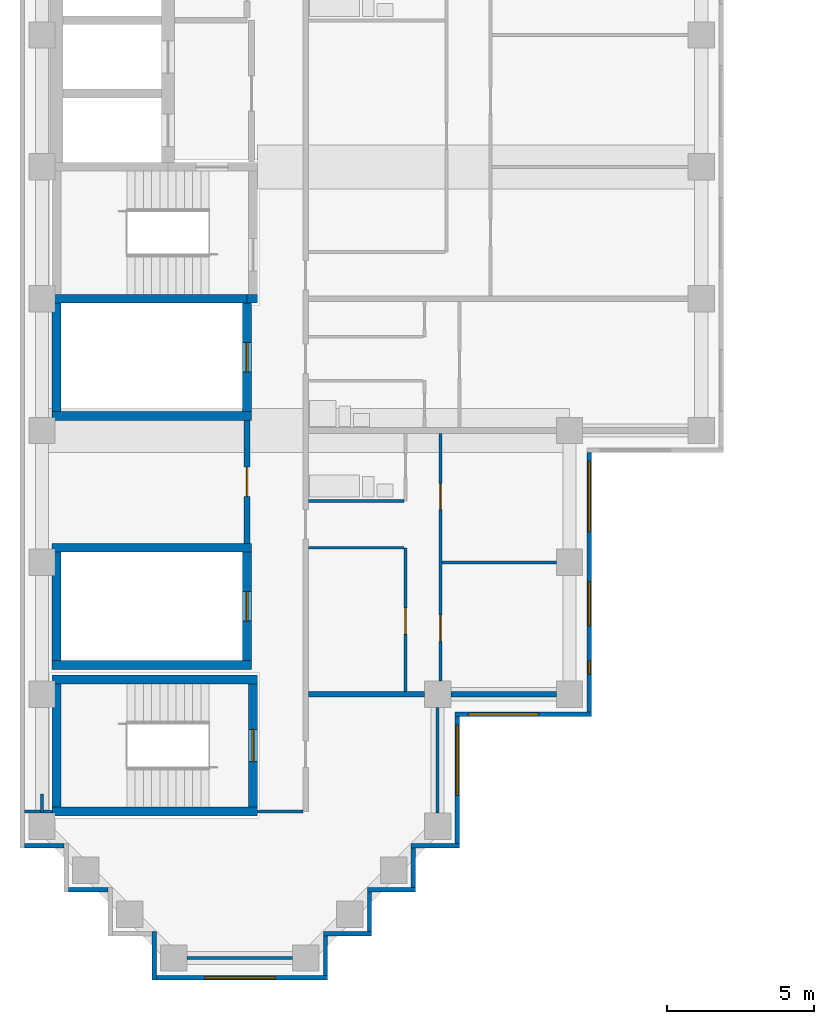
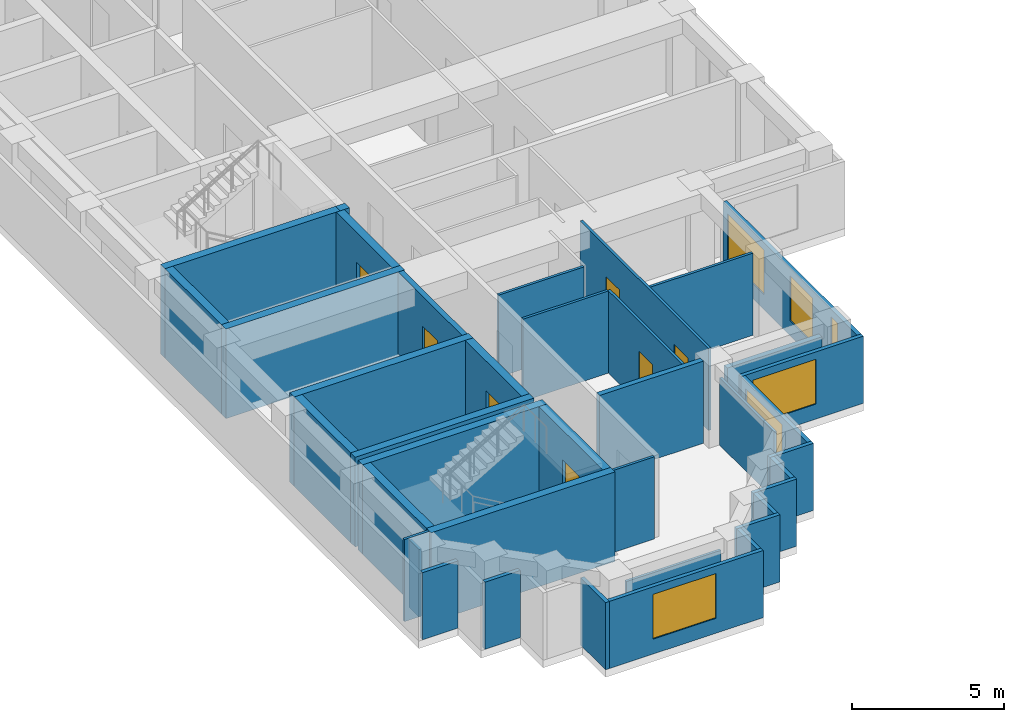
# One storey, part 2 of 11: 39 walls, 7 doors, 6 windows, 13 openings.
"""IFC4 building model written with IfcOpenShell, lengths in metres."""

from ifc_helpers import new_model, si_unit, direction, frame, frame_2d, origin, place, context, subcontext, project, spatial, rectangle, extrude, material, layer, layer_set, type_object, element, fill, save


model = new_model("IFC4")

# Units and contexts
model_context = context("Model", 3, precision=1e-05, world=origin(), true_north=direction((0.0, 1.0)))
body_context = subcontext(model_context, "Body", "Model", "MODEL_VIEW")
ifc_project = project(units=[si_unit("LENGTHUNIT", "METRE"), si_unit("AREAUNIT", "SQUARE_METRE"), si_unit("VOLUMEUNIT", "CUBIC_METRE"), si_unit("PLANEANGLEUNIT", "RADIAN"), si_unit("MASSUNIT", "GRAM", prefix="KILO")], contexts=[model_context])

# Site, building, storey
site_placement = place(None, origin())
site = spatial("IfcSite", under=ifc_project, at=site_placement, CompositionType="ELEMENT")
building_placement = place(site_placement, origin())
building = spatial("IfcBuilding", under=site, at=building_placement, Name="Firuza Court", CompositionType="ELEMENT")
storey_placement = place(building_placement, frame((0.0, 0.0, 179.0)))
storey = spatial("IfcBuildingStorey", under=building, at=storey_placement, Name="L45", CompositionType="ELEMENT", Elevation=179.0)

# Walls
ifc_material_1 = material(Name="Moisture-resistant gypsum board partition")
ifc_layer_1 = layer(ifc_material_1, 0.10009765625)
ifc_layer_set_1 = layer_set([ifc_layer_1], Name="Moisture-resistant gypsum board partition")
wall_type_1 = type_object("IfcWallType", Name="Bathroom partition 100", PredefinedType="PLUMBINGWALL", material=ifc_layer_set_1)
wall_1_placement = place(storey_placement, frame((9.10009765625, 15.60009765625, 0.0), z_axis=(0.0, 0.0, 1.0), x_axis=(1.0, 0.0, 0.0)))
element("IfcWall", 1, at=wall_1_placement, inside=storey, type_object=wall_type_1, Name="Bathroom partition 100 L45", PredefinedType="PLUMBINGWALL", context=body_context, shape_type="SweptSolid", body=[
    extrude(rectangle(XDim=3.25, YDim=0.10009765625, at=frame_2d((1.625, 0.0))), origin(), (0.0, 0.0, 1.0), 3.300048828125),
])
ifc_material_2 = material(Name="Concrete C50/60", Category="concrete")
ifc_layer_2 = layer(ifc_material_2, 0.300048828125)
ifc_layer_set_2 = layer_set([ifc_layer_2], Name="Concrete C50/60")
wall_type_2 = type_object("IfcWallType", Name="Core wall 300 C50/60", PredefinedType="SHEAR", material=ifc_layer_set_2)
for number, where, z_axis, x_axis, name in (
    (2, (0.35009765625, 5.0, -0.300048828125), (0.0, 0.0, 1.0), (1.0, 0.0, 0.0), "Core wall stair L45"),
    (3, (0.35009765625, 9.5, -0.300048828125), (0.0, 0.0, 1.0), (1.0, 0.0, 0.0), "Core wall stair L45"),
):
    element("IfcWall", number, at=place(storey_placement, frame(where, z_axis=z_axis, x_axis=x_axis)), inside=storey, type_object=wall_type_2, Name=name, PredefinedType="SHEAR", context=body_context, shape_type="SweptSolid", body=[
        extrude(rectangle(XDim=7.0, YDim=0.300048828125, at=frame_2d((3.5, 0.0))), origin(), (0.0, 0.0, 1.0), 3.60009765625),
    ])
for number, where, z_axis, x_axis, name in (
    (4, (0.35009765625, 10.0, -0.300048828125), (0.0, 0.0, 1.0), (1.0, 0.0, 0.0), "Core wall riser L45"),
    (5, (0.35009765625, 14.0, -0.300048828125), (0.0, 0.0, 1.0), (1.0, 0.0, 0.0), "Core wall riser L45"),
    (6, (0.35009765625, 18.5, -0.300048828125), (0.0, 0.0, 1.0), (1.0, 0.0, 0.0), "Core wall riser L45"),
):
    element("IfcWall", number, at=place(storey_placement, frame(where, z_axis=z_axis, x_axis=x_axis)), inside=storey, type_object=wall_type_2, Name=name, PredefinedType="SHEAR", context=body_context, shape_type="SweptSolid", body=[
        extrude(rectangle(XDim=6.7998046875, YDim=0.300048828125, at=frame_2d((3.39990234375, 0.0))), origin(), (0.0, 0.0, 1.0), 3.60009765625),
    ])
wall_2_placement = place(storey_placement, frame((0.35009765625, 22.5, -0.300048828125), z_axis=(0.0, 0.0, 1.0), x_axis=(1.0, 0.0, 0.0)))
element("IfcWall", 7, at=wall_2_placement, inside=storey, type_object=wall_type_2, Name="Core wall riser L45", PredefinedType="SHEAR", context=body_context, shape_type="SweptSolid", body=[
    extrude(rectangle(XDim=6.64990234375, YDim=0.300048828125, at=frame_2d((3.324951171875, 0.0))), origin(), (0.0, 0.0, 1.0), 3.60009765625),
])
wall_3_placement = place(storey_placement, frame((0.5, 5.14990234375, -0.300048828125), z_axis=(0.0, 0.0, 1.0), x_axis=(0.0, 1.0, 0.0)))
element("IfcWall", 8, at=wall_3_placement, inside=storey, type_object=wall_type_2, Name="Core wall stair L45", PredefinedType="SHEAR", context=body_context, shape_type="SweptSolid", body=[
    extrude(rectangle(XDim=4.2001953125, YDim=0.300048828125, at=frame_2d((2.10009765625, 0.0))), origin(), (0.0, 0.0, 1.0), 3.60009765625),
])
for number, where, z_axis, x_axis, name in (
    (9, (0.5, 10.14990234375, -0.300048828125), (0.0, 0.0, 1.0), (0.0, 1.0, 0.0), "Core wall riser L45"),
    (10, (0.5, 18.64990234375, -0.300048828125), (0.0, 0.0, 1.0), (0.0, 1.0, 0.0), "Core wall riser L45"),
):
    element("IfcWall", number, at=place(storey_placement, frame(where, z_axis=z_axis, x_axis=x_axis)), inside=storey, type_object=wall_type_2, Name=name, PredefinedType="SHEAR", context=body_context, shape_type="SweptSolid", body=[
        extrude(rectangle(XDim=3.7001953125, YDim=0.300048828125, at=frame_2d((1.85009765625, 0.0))), origin(), (0.0, 0.0, 1.0), 3.60009765625),
    ])

# Wall, opening, door
wall_4_placement = place(storey_placement, frame((7.0, 10.14990234375, -0.300048828125), z_axis=(0.0, 0.0, 1.0), x_axis=(0.0, 1.0, 0.0)))
wall_4 = element("IfcWall", 11, at=wall_4_placement, inside=storey, type_object=wall_type_2, Name="Core wall riser L45", PredefinedType="SHEAR", context=body_context, shape_type="SweptSolid", body=[
    extrude(rectangle(XDim=3.7001953125, YDim=0.300048828125, at=frame_2d((1.85009765625, 0.0))), origin(), (0.0, 0.0, 1.0), 3.60009765625),
])
opening_1_placement = place(wall_4_placement, frame((1.35009765625, 0.0, 0.300048828125)))
opening_1 = element("IfcOpeningElement", 12, at=opening_1_placement, cuts=wall_4, Name="Opening D45011", PredefinedType="OPENING", context=body_context, shape_type="SweptSolid", body=[
    extrude(rectangle(XDim=1.0, YDim=2.10009765625, at=frame_2d((0.5, 1.050048828125))), frame((0.0, 0.162109375, 0.0), z_axis=(0.0, -1.0, 0.0), x_axis=(1.0, 0.0, 0.0)), (0.0, 0.0, 1.0), 0.323974609375),
])
ifc_material_3 = material(Name="Timber door leaf in hardwood frame", Category="wood")
door_type_1 = type_object("IfcDoorType", Name="Riser door 1000", OperationType="SINGLE_SWING_LEFT", PredefinedType="DOOR", material=ifc_material_3)
door_1_placement = place(opening_1_placement, origin())
door_1 = element("IfcDoor", 13, at=door_1_placement, inside=storey, type_object=door_type_1, Name="Riser door R4", OperationType="SINGLE_SWING_LEFT", OverallHeight=2.10009765625, OverallWidth=1.0, PredefinedType="DOOR", context=body_context, shape_type="SweptSolid", body=[
    extrude(rectangle(XDim=1.0, YDim=2.10009765625, at=frame_2d((0.5, 1.050048828125))), frame((0.0, 0.02490234375, 0.0), z_axis=(0.0, -1.0, 0.0), x_axis=(1.0, 0.0, 0.0)), (0.0, 0.0, 1.0), 0.050048828125),
])
fill(opening_1, door_1)

wall_5_placement = place(storey_placement, frame((7.0, 18.64990234375, -0.300048828125), z_axis=(0.0, 0.0, 1.0), x_axis=(0.0, 1.0, 0.0)))
wall_5 = element("IfcWall", 14, at=wall_5_placement, inside=storey, type_object=wall_type_2, Name="Core wall riser L45", PredefinedType="SHEAR", context=body_context, shape_type="SweptSolid", body=[
    extrude(rectangle(XDim=3.7001953125, YDim=0.300048828125, at=frame_2d((1.85009765625, 0.0))), origin(), (0.0, 0.0, 1.0), 3.60009765625),
])
opening_2_placement = place(wall_5_placement, frame((1.35009765625, 0.0, 0.300048828125)))
opening_2 = element("IfcOpeningElement", 15, at=opening_2_placement, cuts=wall_5, Name="Opening D45009", PredefinedType="OPENING", context=body_context, shape_type="SweptSolid", body=[
    extrude(rectangle(XDim=1.0, YDim=2.10009765625, at=frame_2d((0.5, 1.050048828125))), frame((0.0, 0.162109375, 0.0), z_axis=(0.0, -1.0, 0.0), x_axis=(1.0, 0.0, 0.0)), (0.0, 0.0, 1.0), 0.323974609375),
])
door_2_placement = place(opening_2_placement, origin())
door_2 = element("IfcDoor", 16, at=door_2_placement, inside=storey, type_object=door_type_1, Name="Riser door R1", OperationType="SINGLE_SWING_LEFT", OverallHeight=2.10009765625, OverallWidth=1.0, PredefinedType="DOOR", context=body_context, shape_type="SweptSolid", body=[
    extrude(rectangle(XDim=1.0, YDim=2.10009765625, at=frame_2d((0.5, 1.050048828125))), frame((0.0, 0.02490234375, 0.0), z_axis=(0.0, -1.0, 0.0), x_axis=(1.0, 0.0, 0.0)), (0.0, 0.0, 1.0), 0.050048828125),
])
fill(opening_2, door_2)

# Wall
wall_6_placement = place(storey_placement, frame((7.0, 22.5, -0.300048828125), z_axis=(0.0, 0.0, 1.0), x_axis=(1.0, 0.0, 0.0)))
element("IfcWall", 17, at=wall_6_placement, inside=storey, type_object=wall_type_2, Name="Core wall stair L45", PredefinedType="SHEAR", context=body_context, shape_type="SweptSolid", body=[
    extrude(rectangle(XDim=0.35009765625, YDim=0.300048828125, at=frame_2d((0.175048828125, 0.0))), origin(), (0.0, 0.0, 1.0), 3.60009765625),
])

# Wall, opening, door
wall_7_placement = place(storey_placement, frame((7.199951171875, 5.14990234375, -0.300048828125), z_axis=(0.0, 0.0, 1.0), x_axis=(0.0, 1.0, 0.0)))
wall_7 = element("IfcWall", 18, at=wall_7_placement, inside=storey, type_object=wall_type_2, Name="Core wall stair L45", PredefinedType="SHEAR", context=body_context, shape_type="SweptSolid", body=[
    extrude(rectangle(XDim=4.2001953125, YDim=0.300048828125, at=frame_2d((2.10009765625, 0.0))), origin(), (0.0, 0.0, 1.0), 3.60009765625),
])
opening_3_placement = place(wall_7_placement, frame((1.550048828125, 0.0, 0.300048828125)))
opening_3 = element("IfcOpeningElement", 19, at=opening_3_placement, cuts=wall_7, Name="Opening D45017", PredefinedType="OPENING", context=body_context, shape_type="SweptSolid", body=[
    extrude(rectangle(XDim=1.10009765625, YDim=2.10009765625, at=frame_2d((0.550048828125, 1.050048828125))), frame((0.0, 0.162109375, 0.0), z_axis=(0.0, -1.0, 0.0), x_axis=(1.0, 0.0, 0.0)), (0.0, 0.0, 1.0), 0.323974609375),
])
ifc_material_4 = material(Name="Timber door leaf in hardwood frame", Category="wood")
door_type_2 = type_object("IfcDoorType", Name="Stair door 1100", OperationType="SINGLE_SWING_LEFT", PredefinedType="DOOR", material=ifc_material_4)
door_3_placement = place(opening_3_placement, origin())
door_3 = element("IfcDoor", 20, at=door_3_placement, inside=storey, type_object=door_type_2, Name="Stair door S5", OperationType="SINGLE_SWING_LEFT", OverallHeight=2.10009765625, OverallWidth=1.10009765625, PredefinedType="DOOR", context=body_context, shape_type="SweptSolid", body=[
    extrude(rectangle(XDim=1.10009765625, YDim=2.10009765625, at=frame_2d((0.550048828125, 1.050048828125))), frame((0.0, 0.02490234375, 0.0), z_axis=(0.0, -1.0, 0.0), x_axis=(1.0, 0.0, 0.0)), (0.0, 0.0, 1.0), 0.050048828125),
])
fill(opening_3, door_3)

ifc_material_5 = material(Name="Blockwork, plastered both sides", Category="masonry")
ifc_layer_3 = layer(ifc_material_5, 0.199951171875)
ifc_layer_set_3 = layer_set([ifc_layer_3], Name="Blockwork, plastered both sides")
wall_type_3 = type_object("IfcWallType", Name="Corridor wall 200", PredefinedType="PARTITIONING", material=ifc_layer_set_3)
wall_8_placement = place(storey_placement, frame((7.0, 14.14990234375, 0.0), z_axis=(0.0, 0.0, 1.0), x_axis=(0.0, 1.0, 0.0)))
wall_8 = element("IfcWall", 21, at=wall_8_placement, inside=storey, type_object=wall_type_3, Name="Corridor wall 200 L45", PredefinedType="PARTITIONING", context=body_context, shape_type="SweptSolid", body=[
    extrude(rectangle(XDim=4.2001953125, YDim=0.199951171875, at=frame_2d((2.10009765625, 0.0))), origin(), (0.0, 0.0, 1.0), 3.300048828125),
])
opening_4_placement = place(wall_8_placement, frame((1.60009765625, 0.0, 0.0)))
opening_4 = element("IfcOpeningElement", 22, at=opening_4_placement, cuts=wall_8, Name="Opening D45025", PredefinedType="OPENING", context=body_context, shape_type="SweptSolid", body=[
    extrude(rectangle(XDim=1.0, YDim=2.10009765625, at=frame_2d((0.5, 1.050048828125))), frame((0.0, 0.11181640625, 0.0), z_axis=(0.0, -1.0, 0.0), x_axis=(1.0, 0.0, 0.0)), (0.0, 0.0, 1.0), 0.223876953125),
])
ifc_material_6 = material(Name="Timber door leaf in hardwood frame", Category="wood")
door_type_3 = type_object("IfcDoorType", Name="Store door 1000", OperationType="SINGLE_SWING_LEFT", PredefinedType="DOOR", material=ifc_material_6)
door_4_placement = place(opening_4_placement, origin())
door_4 = element("IfcDoor", 23, at=door_4_placement, inside=storey, type_object=door_type_3, Name="Comms room door", OperationType="SINGLE_SWING_LEFT", OverallHeight=2.10009765625, OverallWidth=1.0, PredefinedType="DOOR", context=body_context, shape_type="SweptSolid", body=[
    extrude(rectangle(XDim=1.0, YDim=2.10009765625, at=frame_2d((0.5, 1.050048828125))), frame((0.0, 0.02490234375, 0.0), z_axis=(0.0, -1.0, 0.0), x_axis=(1.0, 0.0, 0.0)), (0.0, 0.0, 1.0), 0.050048828125),
])
fill(opening_4, door_4)

# Walls
ifc_material_7 = material(Name="Timber stud partition, plasterboard both sides", Category="wood")
ifc_layer_4 = layer(ifc_material_7, 0.10009765625)
ifc_layer_set_4 = layer_set([ifc_layer_4], Name="Timber stud partition, plasterboard both sides")
wall_type_4 = type_object("IfcWallType", Name="Partition wall 100", PredefinedType="PARTITIONING", material=ifc_layer_set_4)
wall_9_placement = place(storey_placement, frame((4.949951171875, 0.0, 0.0), z_axis=(0.0, 0.0, 1.0), x_axis=(1.0, 0.0, 0.0)))
element("IfcWall", 24, at=wall_9_placement, inside=storey, type_object=wall_type_4, Name="Partition wall 100 L45", PredefinedType="PARTITIONING", context=body_context, shape_type="SweptSolid", body=[
    extrude(rectangle(XDim=3.60009765625, YDim=0.10009765625, at=frame_2d((1.800048828125, 0.0))), origin(), (0.0, 0.0, 1.0), 2.699951171875),
])
wall_10_placement = place(storey_placement, frame((0.0, 4.949951171875, 0.0), z_axis=(0.0, 0.0, 1.0), x_axis=(0.0, 1.0, 0.0)))
element("IfcWall", 25, at=wall_10_placement, inside=storey, type_object=wall_type_4, Name="Partition wall 100 L45", PredefinedType="PARTITIONING", context=body_context, shape_type="SweptSolid", body=[
    extrude(rectangle(XDim=0.650146484375, YDim=0.10009765625, at=frame_2d((0.3251953125, 0.0))), origin(), (0.0, 0.0, 1.0), 2.699951171875),
])
wall_11_placement = place(storey_placement, frame((13.5, 4.949951171875, 0.0), z_axis=(0.0, 0.0, 1.0), x_axis=(0.0, 1.0, 0.0)))
element("IfcWall", 26, at=wall_11_placement, inside=storey, type_object=wall_type_4, Name="Partition wall 100 L45", PredefinedType="PARTITIONING", context=body_context, shape_type="SweptSolid", body=[
    extrude(rectangle(XDim=3.60009765625, YDim=0.10009765625, at=frame_2d((1.800048828125, 0.0))), origin(), (0.0, 0.0, 1.0), 2.699951171875),
])
wall_12_placement = place(storey_placement, frame((-0.60009765625, 5.0, 0.0), z_axis=(0.0, 0.0, 1.0), x_axis=(1.0, 0.0, 0.0)))
element("IfcWall", 27, at=wall_12_placement, inside=storey, type_object=wall_type_4, Name="Partition wall 100 L45", PredefinedType="PARTITIONING", context=body_context, shape_type="SweptSolid", body=[
    extrude(rectangle(XDim=0.951171875, YDim=0.10009765625, at=frame_2d((0.4755859375, 0.0))), origin(), (0.0, 0.0, 1.0), 3.300048828125),
])
wall_13_placement = place(storey_placement, frame((7.34912109375, 5.0, 0.0), z_axis=(0.0, 0.0, 1.0), x_axis=(1.0, 0.0, 0.0)))
element("IfcWall", 28, at=wall_13_placement, inside=storey, type_object=wall_type_4, Name="Partition wall 100 L45", PredefinedType="PARTITIONING", context=body_context, shape_type="SweptSolid", body=[
    extrude(rectangle(XDim=1.55078125, YDim=0.10009765625, at=frame_2d((0.775390625, 0.0))), origin(), (0.0, 0.0, 1.0), 3.300048828125),
])

# Wall, opening, door
wall_14_placement = place(storey_placement, frame((12.39990234375, 9.10009765625, 0.0), z_axis=(0.0, 0.0, 1.0), x_axis=(0.0, 1.0, 0.0)))
wall_14 = element("IfcWall", 29, at=wall_14_placement, inside=storey, type_object=wall_type_4, Name="Partition wall 100 L45", PredefinedType="PARTITIONING", context=body_context, shape_type="SweptSolid", body=[
    extrude(rectangle(XDim=4.89990234375, YDim=0.10009765625, at=frame_2d((2.449951171875, 0.0))), origin(), (0.0, 0.0, 1.0), 3.300048828125),
])
opening_5_placement = place(wall_14_placement, frame((1.949951171875, 0.0, 0.0)))
opening_5 = element("IfcOpeningElement", 30, at=opening_5_placement, cuts=wall_14, Name="Opening D45022", PredefinedType="OPENING", context=body_context, shape_type="SweptSolid", body=[
    extrude(rectangle(XDim=0.89990234375, YDim=2.10009765625, at=frame_2d((0.449951171875, 1.050048828125))), frame((0.0, 0.06201171875, 0.0), z_axis=(0.0, -1.0, 0.0), x_axis=(1.0, 0.0, 0.0)), (0.0, 0.0, 1.0), 0.1240234375),
])
ifc_material_8 = material(Name="Timber door leaf in hardwood frame", Category="wood")
door_type_4 = type_object("IfcDoorType", Name="Room door 900", OperationType="SINGLE_SWING_LEFT", PredefinedType="DOOR", material=ifc_material_8)
door_5_placement = place(opening_5_placement, origin())
door_5 = element("IfcDoor", 31, at=door_5_placement, inside=storey, type_object=door_type_4, Name="Kitchen door", OperationType="SINGLE_SWING_LEFT", OverallHeight=2.10009765625, OverallWidth=0.89990234375, PredefinedType="DOOR", context=body_context, shape_type="SweptSolid", body=[
    extrude(rectangle(XDim=0.89990234375, YDim=2.10009765625, at=frame_2d((0.449951171875, 1.050048828125))), frame((0.0, 0.02490234375, 0.0), z_axis=(0.0, -1.0, 0.0), x_axis=(1.0, 0.0, 0.0)), (0.0, 0.0, 1.0), 0.050048828125),
])
fill(opening_5, door_5)

# Wall, openings, doors
wall_15_placement = place(storey_placement, frame((13.60009765625, 9.449951171875, 0.0), z_axis=(0.0, 0.0, 1.0), x_axis=(0.0, 1.0, 0.0)))
wall_15 = element("IfcWall", 32, at=wall_15_placement, inside=storey, type_object=wall_type_4, Name="Partition wall 100 L45", PredefinedType="PARTITIONING", context=body_context, shape_type="SweptSolid", body=[
    extrude(rectangle(XDim=8.449951171875, YDim=0.10009765625, at=frame_2d((4.22509765625, 0.0))), origin(), (0.0, 0.0, 1.0), 3.300048828125),
])
opening_6_placement = place(wall_15_placement, frame((1.35009765625, 0.0, 0.0)))
opening_6 = element("IfcOpeningElement", 33, at=opening_6_placement, cuts=wall_15, Name="Opening D45023", PredefinedType="OPENING", context=body_context, shape_type="SweptSolid", body=[
    extrude(rectangle(XDim=0.89990234375, YDim=2.10009765625, at=frame_2d((0.449951171875, 1.050048828125))), frame((0.0, 0.06201171875, 0.0), z_axis=(0.0, -1.0, 0.0), x_axis=(1.0, 0.0, 0.0)), (0.0, 0.0, 1.0), 0.1240234375),
])
opening_7_placement = place(wall_15_placement, frame((5.85009765625, 0.0, 0.0)))
opening_7 = element("IfcOpeningElement", 34, at=opening_7_placement, cuts=wall_15, Name="Opening D45024", PredefinedType="OPENING", context=body_context, shape_type="SweptSolid", body=[
    extrude(rectangle(XDim=0.89990234375, YDim=2.10009765625, at=frame_2d((0.449951171875, 1.050048828125))), frame((0.0, 0.06201171875, 0.0), z_axis=(0.0, -1.0, 0.0), x_axis=(1.0, 0.0, 0.0)), (0.0, 0.0, 1.0), 0.1240234375),
])
door_6_placement = place(opening_6_placement, frame((0.89990234375, 0.0, 0.0), z_axis=(0.0, 0.0, 1.0), x_axis=(-1.0, 0.0, 0.0)))
door_6 = element("IfcDoor", 35, at=door_6_placement, inside=storey, type_object=door_type_4, Name="Living room door", OperationType="SINGLE_SWING_RIGHT", OverallHeight=2.10009765625, OverallWidth=0.89990234375, PredefinedType="DOOR", context=body_context, shape_type="SweptSolid", body=[
    extrude(rectangle(XDim=0.89990234375, YDim=2.10009765625, at=frame_2d((0.449951171875, 1.050048828125))), frame((0.0, 0.02490234375, 0.0), z_axis=(0.0, -1.0, 0.0), x_axis=(1.0, 0.0, 0.0)), (0.0, 0.0, 1.0), 0.050048828125),
])
fill(opening_6, door_6)
door_7_placement = place(opening_7_placement, frame((0.89990234375, 0.0, 0.0), z_axis=(0.0, 0.0, 1.0), x_axis=(-1.0, 0.0, 0.0)))
door_7 = element("IfcDoor", 36, at=door_7_placement, inside=storey, type_object=door_type_4, Name="Bedroom door", OperationType="SINGLE_SWING_RIGHT", OverallHeight=2.10009765625, OverallWidth=0.89990234375, PredefinedType="DOOR", context=body_context, shape_type="SweptSolid", body=[
    extrude(rectangle(XDim=0.89990234375, YDim=2.10009765625, at=frame_2d((0.449951171875, 1.050048828125))), frame((0.0, 0.02490234375, 0.0), z_axis=(0.0, -1.0, 0.0), x_axis=(1.0, 0.0, 0.0)), (0.0, 0.0, 1.0), 0.050048828125),
])
fill(opening_7, door_7)

# Walls
wall_16_placement = place(storey_placement, frame((13.64990234375, 13.5, 0.0), z_axis=(0.0, 0.0, 1.0), x_axis=(1.0, 0.0, 0.0)))
element("IfcWall", 37, at=wall_16_placement, inside=storey, type_object=wall_type_4, Name="Partition wall 100 L45", PredefinedType="PARTITIONING", context=body_context, shape_type="SweptSolid", body=[
    extrude(rectangle(XDim=3.900146484375, YDim=0.10009765625, at=frame_2d((1.9501953125, 0.0))), origin(), (0.0, 0.0, 1.0), 3.300048828125),
])
wall_17_placement = place(storey_placement, frame((9.10009765625, 14.0, 0.0), z_axis=(0.0, 0.0, 1.0), x_axis=(1.0, 0.0, 0.0)))
element("IfcWall", 38, at=wall_17_placement, inside=storey, type_object=wall_type_4, Name="Partition wall 100 L45", PredefinedType="PARTITIONING", context=body_context, shape_type="SweptSolid", body=[
    extrude(rectangle(XDim=3.25, YDim=0.10009765625, at=frame_2d((1.625, 0.0))), origin(), (0.0, 0.0, 1.0), 3.300048828125),
])
ifc_layer_5 = layer(ifc_material_5, 0.199951171875)
ifc_layer_set_5 = layer_set([ifc_layer_5], Name="Blockwork, plastered both sides")
wall_type_5 = type_object("IfcWallType", Name="Party wall 200", PredefinedType="PARTITIONING", material=ifc_layer_set_5)
wall_18_placement = place(storey_placement, frame((9.10009765625, 9.0, 0.0), z_axis=(0.0, 0.0, 1.0), x_axis=(1.0, 0.0, 0.0)))
element("IfcWall", 39, at=wall_18_placement, inside=storey, type_object=wall_type_5, Name="Party wall 200 L45", PredefinedType="PARTITIONING", context=body_context, shape_type="SweptSolid", body=[
    extrude(rectangle(XDim=3.949951171875, YDim=0.199951171875, at=frame_2d((1.97509765625, 0.0))), origin(), (0.0, 0.0, 1.0), 3.300048828125),
])
wall_19_placement = place(storey_placement, frame((13.949951171875, 9.0, 0.0), z_axis=(0.0, 0.0, 1.0), x_axis=(1.0, 0.0, 0.0)))
element("IfcWall", 40, at=wall_19_placement, inside=storey, type_object=wall_type_5, Name="Party wall 200 L45", PredefinedType="PARTITIONING", context=body_context, shape_type="SweptSolid", body=[
    extrude(rectangle(XDim=3.60009765625, YDim=0.199951171875, at=frame_2d((1.800048828125, 0.0))), origin(), (0.0, 0.0, 1.0), 2.699951171875),
])
ifc_material_9 = material(Name="Ceramic tile", Category="ceramic")
ifc_layer_6 = layer(ifc_material_9, 0.02001953125)
ifc_material_10 = material(Name="Mineral wool insulation", Category="insulation")
ifc_layer_7 = layer(ifc_material_10, 0.050048828125)
ifc_material_11 = material(Name="Concrete C40/50 precast", Category="concrete")
ifc_layer_8 = layer(ifc_material_11, 0.080078125)
ifc_layer_set_6 = layer_set([ifc_layer_6, ifc_layer_7, ifc_layer_8], Name="Concrete C40/50 precast")
wall_type_6 = type_object("IfcWallType", Name="Precast cladding wall with turquoise TILE PANEL face 150", PredefinedType="STANDARD", material=ifc_layer_set_6)
wall_20_placement = place(storey_placement, frame((9.675048828125, -0.60009765625, 0.0), z_axis=(0.0, 0.0, 1.0), x_axis=(0.0, 1.0, 0.0)))
element("IfcWall", 41, at=wall_20_placement, inside=storey, type_object=wall_type_6, Name="Facade wall L45 E", PredefinedType="STANDARD", context=body_context, shape_type="SweptSolid", body=[
    extrude(rectangle(XDim=1.35009765625, YDim=0.14990234375, at=frame_2d((0.675048828125, 0.0))), origin(), (0.0, 0.0, 1.0), 2.699951171875),
])
wall_21_placement = place(storey_placement, frame((9.60009765625, 0.824951171875, 0.0), z_axis=(0.0, 0.0, 1.0), x_axis=(1.0, 0.0, 0.0)))
element("IfcWall", 42, at=wall_21_placement, inside=storey, type_object=wall_type_6, Name="Facade wall L45 S", PredefinedType="STANDARD", context=body_context, shape_type="SweptSolid", body=[
    extrude(rectangle(XDim=1.64990234375, YDim=0.14990234375, at=frame_2d((0.824951171875, 0.0))), origin(), (0.0, 0.0, 1.0), 2.699951171875),
])
wall_22_placement = place(storey_placement, frame((11.175048828125, 0.89990234375, 0.0), z_axis=(0.0, 0.0, 1.0), x_axis=(0.0, 1.0, 0.0)))
element("IfcWall", 43, at=wall_22_placement, inside=storey, type_object=wall_type_6, Name="Facade wall L45 E", PredefinedType="STANDARD", context=body_context, shape_type="SweptSolid", body=[
    extrude(rectangle(XDim=1.35009765625, YDim=0.14990234375, at=frame_2d((0.675048828125, 0.0))), origin(), (0.0, 0.0, 1.0), 2.699951171875),
])
wall_23_placement = place(storey_placement, frame((11.10009765625, 2.324951171875, 0.0), z_axis=(0.0, 0.0, 1.0), x_axis=(1.0, 0.0, 0.0)))
element("IfcWall", 44, at=wall_23_placement, inside=storey, type_object=wall_type_6, Name="Facade wall L45 S", PredefinedType="STANDARD", context=body_context, shape_type="SweptSolid", body=[
    extrude(rectangle(XDim=1.64990234375, YDim=0.14990234375, at=frame_2d((0.824951171875, 0.0))), origin(), (0.0, 0.0, 1.0), 2.699951171875),
])
wall_24_placement = place(storey_placement, frame((12.675048828125, 2.39990234375, 0.0), z_axis=(0.0, 0.0, 1.0), x_axis=(0.0, 1.0, 0.0)))
element("IfcWall", 45, at=wall_24_placement, inside=storey, type_object=wall_type_6, Name="Facade wall L45 E", PredefinedType="STANDARD", context=body_context, shape_type="SweptSolid", body=[
    extrude(rectangle(XDim=1.35009765625, YDim=0.14990234375, at=frame_2d((0.675048828125, 0.0))), origin(), (0.0, 0.0, 1.0), 2.699951171875),
])
wall_25_placement = place(storey_placement, frame((12.60009765625, 3.824951171875, 0.0), z_axis=(0.0, 0.0, 1.0), x_axis=(1.0, 0.0, 0.0)))
element("IfcWall", 46, at=wall_25_placement, inside=storey, type_object=wall_type_6, Name="Facade wall L45 S", PredefinedType="STANDARD", context=body_context, shape_type="SweptSolid", body=[
    extrude(rectangle(XDim=1.64990234375, YDim=0.14990234375, at=frame_2d((0.824951171875, 0.0))), origin(), (0.0, 0.0, 1.0), 2.699951171875),
])

# Wall, opening, window
wall_26_placement = place(storey_placement, frame((14.175048828125, 3.89990234375, 0.0), z_axis=(0.0, 0.0, 1.0), x_axis=(0.0, 1.0, 0.0)))
wall_26 = element("IfcWall", 47, at=wall_26_placement, inside=storey, type_object=wall_type_6, Name="Facade wall L45 E", PredefinedType="STANDARD", context=body_context, shape_type="SweptSolid", body=[
    extrude(rectangle(XDim=4.35009765625, YDim=0.14990234375, at=frame_2d((2.175048828125, 0.0))), origin(), (0.0, 0.0, 1.0), 2.699951171875),
])
opening_8_placement = place(wall_26_placement, frame((1.64990234375, 0.0, 0.60009765625)))
opening_8 = element("IfcOpeningElement", 48, at=opening_8_placement, cuts=wall_26, Name="Opening W1", PredefinedType="OPENING", context=body_context, shape_type="SweptSolid", body=[
    extrude(rectangle(XDim=2.39990234375, YDim=1.800048828125, at=frame_2d((1.199951171875, 0.89990234375))), frame((0.0, 0.0869140625, 0.0), z_axis=(0.0, -1.0, 0.0), x_axis=(1.0, 0.0, 0.0)), (0.0, 0.0, 1.0), 0.173828125),
])
ifc_material_12 = material(Name="Aluminium frame, triple clear glazing", Category="aluminium")
window_type_1 = type_object("IfcWindowType", Name="Window W1 2400 x 1800", PartitioningType="SINGLE_PANEL", PredefinedType="WINDOW", material=ifc_material_12)
window_1_placement = place(opening_8_placement, origin())
window_1 = element("IfcWindow", 49, at=window_1_placement, inside=storey, type_object=window_type_1, Name="Window L45", OverallHeight=1.800048828125, OverallWidth=2.39990234375, PartitioningType="SINGLE_PANEL", PredefinedType="WINDOW", context=body_context, shape_type="SweptSolid", body=[
    extrude(rectangle(XDim=2.39990234375, YDim=1.800048828125, at=frame_2d((1.199951171875, 0.89990234375))), frame((0.0, 0.030029296875, 0.0), z_axis=(0.0, -1.0, 0.0), x_axis=(1.0, 0.0, 0.0)), (0.0, 0.0, 1.0), 0.06005859375),
])
fill(opening_8, window_1)

wall_27_placement = place(storey_placement, frame((14.10009765625, 8.324951171875, 0.0), z_axis=(0.0, 0.0, 1.0), x_axis=(1.0, 0.0, 0.0)))
wall_27 = element("IfcWall", 50, at=wall_27_placement, inside=storey, type_object=wall_type_6, Name="Facade wall L45 S", PredefinedType="STANDARD", context=body_context, shape_type="SweptSolid", body=[
    extrude(rectangle(XDim=4.64990234375, YDim=0.14990234375, at=frame_2d((2.324951171875, 0.0))), origin(), (0.0, 0.0, 1.0), 2.699951171875),
])
opening_9_placement = place(wall_27_placement, frame((0.449951171875, 0.0, 0.60009765625)))
opening_9 = element("IfcOpeningElement", 51, at=opening_9_placement, cuts=wall_27, Name="Opening W1", PredefinedType="OPENING", context=body_context, shape_type="SweptSolid", body=[
    extrude(rectangle(XDim=2.39990234375, YDim=1.800048828125, at=frame_2d((1.199951171875, 0.89990234375))), frame((0.0, 0.0869140625, 0.0), z_axis=(0.0, -1.0, 0.0), x_axis=(1.0, 0.0, 0.0)), (0.0, 0.0, 1.0), 0.173828125),
])
window_2_placement = place(opening_9_placement, origin())
window_2 = element("IfcWindow", 52, at=window_2_placement, inside=storey, type_object=window_type_1, Name="Window L45", OverallHeight=1.800048828125, OverallWidth=2.39990234375, PartitioningType="SINGLE_PANEL", PredefinedType="WINDOW", context=body_context, shape_type="SweptSolid", body=[
    extrude(rectangle(XDim=2.39990234375, YDim=1.800048828125, at=frame_2d((1.199951171875, 0.89990234375))), frame((0.0, 0.030029296875, 0.0), z_axis=(0.0, -1.0, 0.0), x_axis=(1.0, 0.0, 0.0)), (0.0, 0.0, 1.0), 0.06005859375),
])
fill(opening_9, window_2)

# Wall, openings, windows
wall_28_placement = place(storey_placement, frame((18.675048828125, 8.39990234375, 0.0), z_axis=(0.0, 0.0, 1.0), x_axis=(0.0, 1.0, 0.0)))
wall_28 = element("IfcWall", 53, at=wall_28_placement, inside=storey, type_object=wall_type_6, Name="Facade wall L45 E", PredefinedType="STANDARD", context=body_context, shape_type="SweptSolid", body=[
    extrude(rectangle(XDim=8.85009765625, YDim=0.14990234375, at=frame_2d((4.425048828125, 0.0))), origin(), (0.0, 0.0, 1.0), 2.699951171875),
])
opening_10_placement = place(wall_28_placement, frame((1.290771484375, 0.0, 0.60009765625)))
opening_10 = element("IfcOpeningElement", 54, at=opening_10_placement, cuts=wall_28, Name="Opening W5", PredefinedType="OPENING", context=body_context, shape_type="SweptSolid", body=[
    extrude(rectangle(XDim=0.449951171875, YDim=1.800048828125, at=frame_2d((0.22509765625, 0.89990234375))), frame((0.0, 0.0869140625, 0.0), z_axis=(0.0, -1.0, 0.0), x_axis=(1.0, 0.0, 0.0)), (0.0, 0.0, 1.0), 0.173828125),
])
opening_11_placement = place(wall_28_placement, frame((2.940673828125, 0.0, 0.60009765625)))
opening_11 = element("IfcOpeningElement", 55, at=opening_11_placement, cuts=wall_28, Name="Opening W2", PredefinedType="OPENING", context=body_context, shape_type="SweptSolid", body=[
    extrude(rectangle(XDim=1.5, YDim=1.800048828125, at=frame_2d((0.75, 0.89990234375))), frame((0.0, 0.0869140625, 0.0), z_axis=(0.0, -1.0, 0.0), x_axis=(1.0, 0.0, 0.0)), (0.0, 0.0, 1.0), 0.173828125),
])
opening_12_placement = place(wall_28_placement, frame((6.14990234375, 0.0, 0.60009765625)))
opening_12 = element("IfcOpeningElement", 56, at=opening_12_placement, cuts=wall_28, Name="Opening W1", PredefinedType="OPENING", context=body_context, shape_type="SweptSolid", body=[
    extrude(rectangle(XDim=2.39990234375, YDim=1.800048828125, at=frame_2d((1.199951171875, 0.89990234375))), frame((0.0, 0.0869140625, 0.0), z_axis=(0.0, -1.0, 0.0), x_axis=(1.0, 0.0, 0.0)), (0.0, 0.0, 1.0), 0.173828125),
])
window_3_placement = place(opening_12_placement, origin())
window_3 = element("IfcWindow", 57, at=window_3_placement, inside=storey, type_object=window_type_1, Name="Window L45", OverallHeight=1.800048828125, OverallWidth=2.39990234375, PartitioningType="SINGLE_PANEL", PredefinedType="WINDOW", context=body_context, shape_type="SweptSolid", body=[
    extrude(rectangle(XDim=2.39990234375, YDim=1.800048828125, at=frame_2d((1.199951171875, 0.89990234375))), frame((0.0, 0.030029296875, 0.0), z_axis=(0.0, -1.0, 0.0), x_axis=(1.0, 0.0, 0.0)), (0.0, 0.0, 1.0), 0.06005859375),
])
fill(opening_12, window_3)
ifc_material_13 = material(Name="Aluminium frame, triple clear glazing", Category="aluminium")
window_type_2 = type_object("IfcWindowType", Name="Window W2 1500 x 1800", PartitioningType="SINGLE_PANEL", PredefinedType="WINDOW", material=ifc_material_13)
window_4_placement = place(opening_11_placement, origin())
window_4 = element("IfcWindow", 58, at=window_4_placement, inside=storey, type_object=window_type_2, Name="Window L45", OverallHeight=1.800048828125, OverallWidth=1.5, PartitioningType="SINGLE_PANEL", PredefinedType="WINDOW", context=body_context, shape_type="SweptSolid", body=[
    extrude(rectangle(XDim=1.5, YDim=1.800048828125, at=frame_2d((0.75, 0.89990234375))), frame((0.0, 0.030029296875, 0.0), z_axis=(0.0, -1.0, 0.0), x_axis=(1.0, 0.0, 0.0)), (0.0, 0.0, 1.0), 0.06005859375),
])
fill(opening_11, window_4)
ifc_material_14 = material(Name="Aluminium frame, triple clear glazing", Category="aluminium")
window_type_3 = type_object("IfcWindowType", Name="Window W5 450 x 1800", PartitioningType="SINGLE_PANEL", PredefinedType="WINDOW", material=ifc_material_14)
window_5_placement = place(opening_10_placement, origin())
window_5 = element("IfcWindow", 59, at=window_5_placement, inside=storey, type_object=window_type_3, Name="Window L45", OverallHeight=1.800048828125, OverallWidth=0.449951171875, PartitioningType="SINGLE_PANEL", PredefinedType="WINDOW", context=body_context, shape_type="SweptSolid", body=[
    extrude(rectangle(XDim=0.449951171875, YDim=1.800048828125, at=frame_2d((0.22509765625, 0.89990234375))), frame((0.0, 0.030029296875, 0.0), z_axis=(0.0, -1.0, 0.0), x_axis=(1.0, 0.0, 0.0)), (0.0, 0.0, 1.0), 0.06005859375),
])
fill(opening_10, window_5)

# Walls
for number, where, z_axis, x_axis, name in (
    (60, (-0.60009765625, 3.824951171875, 0.0), (0.0, 0.0, 1.0), (1.0, 0.0, 0.0), "Facade wall L45 S"),
    (61, (0.89990234375, 2.324951171875, 0.0), (0.0, 0.0, 1.0), (1.0, 0.0, 0.0), "Facade wall L45 S"),
):
    element("IfcWall", number, at=place(storey_placement, frame(where, z_axis=z_axis, x_axis=x_axis)), inside=storey, type_object=wall_type_6, Name=name, PredefinedType="STANDARD", context=body_context, shape_type="SweptSolid", body=[
        extrude(rectangle(XDim=1.35009765625, YDim=0.14990234375, at=frame_2d((0.675048828125, 0.0))), origin(), (0.0, 0.0, 1.0), 2.699951171875),
    ])
wall_29_placement = place(storey_placement, frame((3.824951171875, 0.89990234375, 0.0), z_axis=(0.0, 0.0, 1.0), x_axis=(0.0, -1.0, 0.0)))
element("IfcWall", 62, at=wall_29_placement, inside=storey, type_object=wall_type_6, Name="Facade wall L45 W", PredefinedType="STANDARD", context=body_context, shape_type="SweptSolid", body=[
    extrude(rectangle(XDim=1.64990234375, YDim=0.14990234375, at=frame_2d((0.824951171875, 0.0))), origin(), (0.0, 0.0, 1.0), 2.699951171875),
])

# Wall, opening, window
wall_30_placement = place(storey_placement, frame((3.89990234375, -0.675048828125, 0.0), z_axis=(0.0, 0.0, 1.0), x_axis=(1.0, 0.0, 0.0)))
wall_30 = element("IfcWall", 63, at=wall_30_placement, inside=storey, type_object=wall_type_6, Name="Facade wall L45 S", PredefinedType="STANDARD", context=body_context, shape_type="SweptSolid", body=[
    extrude(rectangle(XDim=5.85009765625, YDim=0.14990234375, at=frame_2d((2.925048828125, 0.0))), origin(), (0.0, 0.0, 1.0), 2.699951171875),
])
opening_13_placement = place(wall_30_placement, frame((1.64990234375, 0.0, 0.60009765625)))
opening_13 = element("IfcOpeningElement", 64, at=opening_13_placement, cuts=wall_30, Name="Opening W1", PredefinedType="OPENING", context=body_context, shape_type="SweptSolid", body=[
    extrude(rectangle(XDim=2.39990234375, YDim=1.800048828125, at=frame_2d((1.199951171875, 0.89990234375))), frame((0.0, 0.0869140625, 0.0), z_axis=(0.0, -1.0, 0.0), x_axis=(1.0, 0.0, 0.0)), (0.0, 0.0, 1.0), 0.173828125),
])
window_6_placement = place(opening_13_placement, origin())
window_6 = element("IfcWindow", 65, at=window_6_placement, inside=storey, type_object=window_type_1, Name="Window L45", OverallHeight=1.800048828125, OverallWidth=2.39990234375, PartitioningType="SINGLE_PANEL", PredefinedType="WINDOW", context=body_context, shape_type="SweptSolid", body=[
    extrude(rectangle(XDim=2.39990234375, YDim=1.800048828125, at=frame_2d((1.199951171875, 0.89990234375))), frame((0.0, 0.030029296875, 0.0), z_axis=(0.0, -1.0, 0.0), x_axis=(1.0, 0.0, 0.0)), (0.0, 0.0, 1.0), 0.06005859375),
])
fill(opening_13, window_6)

save(model, "model.ifc")
